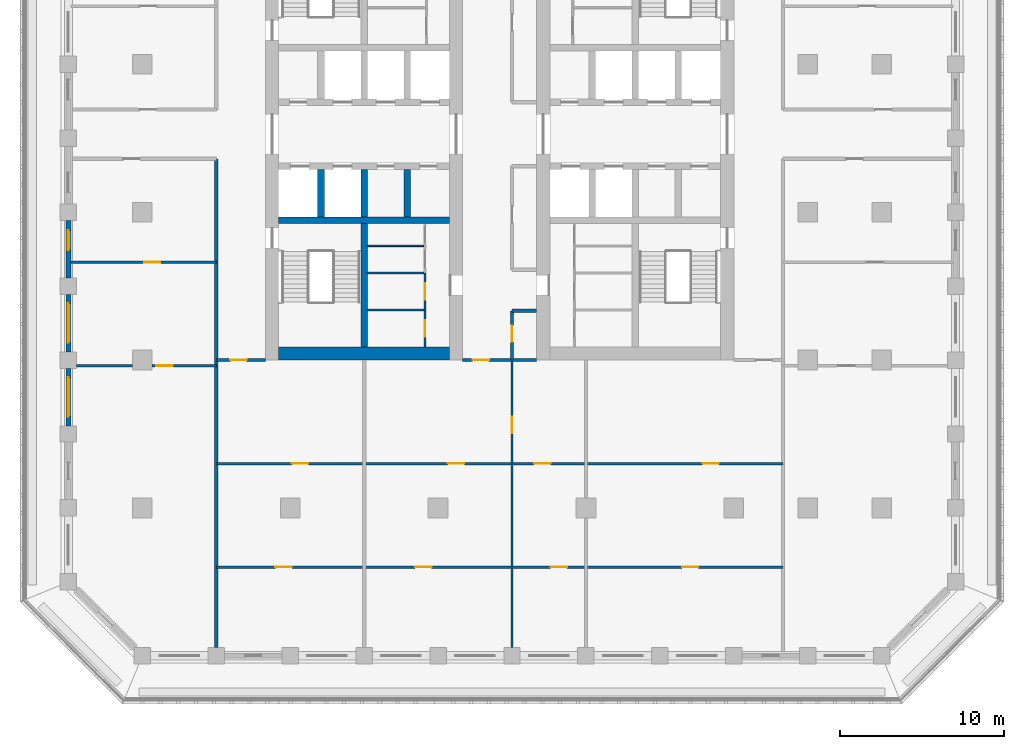
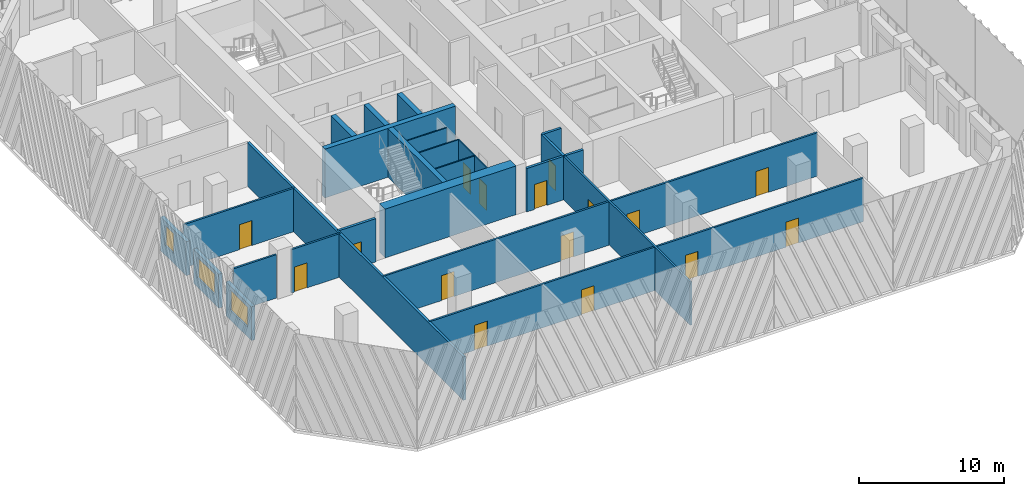
# One storey, part 3 of 17: 25 walls, 16 doors, 3 windows, 19 openings.
"""IFC4 building model written with IfcOpenShell, lengths in metres."""

from ifc_helpers import new_model, si_unit, direction, frame, frame_2d, origin, place, context, subcontext, project, spatial, rectangle, extrude, material, layer, layer_set, type_object, element, fill, save


model = new_model("IFC4")

# Units and contexts
model_context = context("Model", 3, precision=1e-05, world=origin(), true_north=direction((0.0, 1.0)))
body_context = subcontext(model_context, "Body", "Model", "MODEL_VIEW")
ifc_project = project(units=[si_unit("LENGTHUNIT", "METRE"), si_unit("AREAUNIT", "SQUARE_METRE"), si_unit("VOLUMEUNIT", "CUBIC_METRE"), si_unit("PLANEANGLEUNIT", "RADIAN"), si_unit("MASSUNIT", "GRAM", prefix="KILO")], contexts=[model_context])

# Site, building, storey
site_placement = place(None, origin())
site = spatial("IfcSite", under=ifc_project, at=site_placement, CompositionType="ELEMENT")
building_placement = place(site_placement, origin())
building = spatial("IfcBuilding", under=site, at=building_placement, Name="Corbel Stack Research Tower", CompositionType="ELEMENT")
storey_placement = place(building_placement, frame((0.0, 0.0, 207.89990234375)))
storey = spatial("IfcBuildingStorey", under=building, at=storey_placement, Name="L47", CompositionType="ELEMENT", Elevation=207.89990234375)

# Walls
ifc_material_1 = material(Name="Concrete C60/75", Category="concrete")
ifc_layer_1 = layer(ifc_material_1, 0.39990234375)
ifc_layer_set_1 = layer_set([ifc_layer_1], Name="Concrete C60/75")
wall_type_1 = type_object("IfcWallType", Name="CW-400-60", PredefinedType="SHEAR", material=ifc_layer_set_1)
wall_1_placement = place(storey_placement, frame((-9.699951171875, -0.5, 0.0), z_axis=(0.0, 0.0, 1.0), x_axis=(1.0, 0.0, 0.0)))
element("IfcWall", 1, at=wall_1_placement, inside=storey, type_object=wall_type_1, Name="West core wall, south row back L47", PredefinedType="SHEAR", context=body_context, shape_type="SweptSolid", body=[
    extrude(rectangle(XDim=10.39990234375, YDim=0.39990234375, at=frame_2d((5.199951171875, 0.0))), origin(), (0.0, 0.0, 1.0), 4.10009765625),
])
for number, where, z_axis, x_axis, name in (
    (2, (-7.125, -0.300048828125, 0.0), (0.0, 0.0, 1.0), (0.0, 1.0, 0.0), "West core wall, south shaft 1 L47"),
    (3, (-4.5, -0.300048828125, 0.0), (0.0, 0.0, 1.0), (0.0, 1.0, 0.0), "West core wall, south shaft 2 L47"),
    (4, (-1.875, -0.300048828125, 0.0), (0.0, 0.0, 1.0), (0.0, 1.0, 0.0), "West core wall, south shaft 3 L47"),
):
    element("IfcWall", number, at=place(storey_placement, frame(where, z_axis=z_axis, x_axis=x_axis)), inside=storey, type_object=wall_type_1, Name=name, PredefinedType="SHEAR", context=body_context, shape_type="SweptSolid", body=[
        extrude(rectangle(XDim=2.900146484375, YDim=0.39990234375, at=frame_2d((1.4501953125, 0.0))), origin(), (0.0, 0.0, 1.0), 4.10009765625),
    ])
wall_2_placement = place(storey_placement, frame((-4.5, -8.199951171875, 0.0), z_axis=(0.0, 0.0, 1.0), x_axis=(0.0, 1.0, 0.0)))
element("IfcWall", 5, at=wall_2_placement, inside=storey, type_object=wall_type_1, Name="West core wall, south stair and WC L47", PredefinedType="SHEAR", context=body_context, shape_type="SweptSolid", body=[
    extrude(rectangle(XDim=7.5, YDim=0.39990234375, at=frame_2d((3.75, 0.0))), origin(), (0.0, 0.0, 1.0), 4.10009765625),
])
ifc_material_2 = material(Name="Concrete C60/75", Category="concrete")
ifc_layer_2 = layer(ifc_material_2, 0.800048828125)
ifc_layer_set_2 = layer_set([ifc_layer_2], Name="Concrete C60/75")
wall_type_2 = type_object("IfcWallType", Name="CW-800-60", PredefinedType="SHEAR", material=ifc_layer_set_2)
wall_3_placement = place(storey_placement, frame((-9.699951171875, -8.60009765625, 0.0), z_axis=(0.0, 0.0, 1.0), x_axis=(1.0, 0.0, 0.0)))
element("IfcWall", 6, at=wall_3_placement, inside=storey, type_object=wall_type_2, Name="West core wall, south end L47", PredefinedType="SHEAR", context=body_context, shape_type="SweptSolid", body=[
    extrude(rectangle(XDim=10.39990234375, YDim=0.800048828125, at=frame_2d((5.199951171875, 0.0))), origin(), (0.0, 0.0, 1.0), 4.10009765625),
])

# Wall, opening, door
ifc_material_3 = material(Name="Gypsum board")
ifc_layer_3 = layer(ifc_material_3, 0.10009765625)
ifc_layer_set_3 = layer_set([ifc_layer_3], Name="Gypsum board")
wall_type_3 = type_object("IfcWallType", Name="Core partition 100", PredefinedType="PARTITIONING", material=ifc_layer_set_3)
wall_4_placement = place(storey_placement, frame((-0.800048828125, -8.199951171875, 0.0), z_axis=(0.0, 0.0, 1.0), x_axis=(0.0, 1.0, 0.0)))
wall_4 = element("IfcWall", 7, at=wall_4_placement, inside=storey, type_object=wall_type_3, Name="Core partition W", PredefinedType="PARTITIONING", context=body_context, shape_type="SweptSolid", body=[
    extrude(rectangle(XDim=2.25, YDim=0.10009765625, at=frame_2d((1.125, 0.0))), origin(), (0.0, 0.0, 1.0), 3.650146484375),
])
opening_1_placement = place(wall_4_placement, frame((0.625, 0.0, 0.0)))
opening_1 = element("IfcOpeningElement", 8, at=opening_1_placement, cuts=wall_4, Name="Opening CR-W42-W2-1000", PredefinedType="OPENING", context=body_context, shape_type="SweptSolid", body=[
    extrude(rectangle(XDim=1.0, YDim=2.10009765625, at=frame_2d((0.5, 1.050048828125))), frame((0.0, 0.06005859375, 0.0), z_axis=(0.0, -1.0, 0.0), x_axis=(1.0, 0.0, 0.0)), (0.0, 0.0, 1.0), 0.1201171875),
])
ifc_material_4 = material(Name="Painted timber door", Category="wood")
door_type_1 = type_object("IfcDoorType", Name="WC door 1000 x 2100 right hand", OperationType="SINGLE_SWING_RIGHT", PredefinedType="DOOR", material=ifc_material_4)
door_1_placement = place(opening_1_placement, origin())
door_1 = element("IfcDoor", 9, at=door_1_placement, inside=storey, type_object=door_type_1, Name="Men's WC door W core", OperationType="SINGLE_SWING_RIGHT", OverallHeight=2.10009765625, OverallWidth=1.0, PredefinedType="DOOR", context=body_context, shape_type="SweptSolid", body=[
    extrude(rectangle(XDim=1.0, YDim=2.10009765625, at=frame_2d((0.5, 1.050048828125))), frame((0.0, 0.02490234375, 0.0), z_axis=(0.0, -1.0, 0.0), x_axis=(1.0, 0.0, 0.0)), (0.0, 0.0, 1.0), 0.050048828125),
])
fill(opening_1, door_1)

wall_5_placement = place(storey_placement, frame((-0.800048828125, -5.949951171875, 0.0), z_axis=(0.0, 0.0, 1.0), x_axis=(0.0, 1.0, 0.0)))
wall_5 = element("IfcWall", 10, at=wall_5_placement, inside=storey, type_object=wall_type_3, Name="Core partition W", PredefinedType="PARTITIONING", context=body_context, shape_type="SweptSolid", body=[
    extrude(rectangle(XDim=2.25, YDim=0.10009765625, at=frame_2d((1.125, 0.0))), origin(), (0.0, 0.0, 1.0), 3.650146484375),
])
opening_2_placement = place(wall_5_placement, frame((0.625, 0.0, 0.0)))
opening_2 = element("IfcOpeningElement", 11, at=opening_2_placement, cuts=wall_5, Name="Opening CR-W42-W3-1000", PredefinedType="OPENING", context=body_context, shape_type="SweptSolid", body=[
    extrude(rectangle(XDim=1.0, YDim=2.10009765625, at=frame_2d((0.5, 1.050048828125))), frame((0.0, 0.06005859375, 0.0), z_axis=(0.0, -1.0, 0.0), x_axis=(1.0, 0.0, 0.0)), (0.0, 0.0, 1.0), 0.1201171875),
])
ifc_material_5 = material(Name="Painted timber door", Category="wood")
door_type_2 = type_object("IfcDoorType", Name="WC door 1000 x 2100 left hand", OperationType="SINGLE_SWING_LEFT", PredefinedType="DOOR", material=ifc_material_5)
door_2_placement = place(opening_2_placement, origin())
door_2 = element("IfcDoor", 12, at=door_2_placement, inside=storey, type_object=door_type_2, Name="Women's WC door W core", OperationType="SINGLE_SWING_LEFT", OverallHeight=2.10009765625, OverallWidth=1.0, PredefinedType="DOOR", context=body_context, shape_type="SweptSolid", body=[
    extrude(rectangle(XDim=1.0, YDim=2.10009765625, at=frame_2d((0.5, 1.050048828125))), frame((0.0, 0.02490234375, 0.0), z_axis=(0.0, -1.0, 0.0), x_axis=(1.0, 0.0, 0.0)), (0.0, 0.0, 1.0), 0.050048828125),
])
fill(opening_2, door_2)

# Walls
for number, where, z_axis, x_axis, name in (
    (13, (-4.300048828125, -5.949951171875, 0.0), (0.0, 0.0, 1.0), (1.0, 0.0, 0.0), "Core partition W"),
    (14, (-4.300048828125, -3.699951171875, 0.0), (0.0, 0.0, 1.0), (1.0, 0.0, 0.0), "Core partition W"),
    (15, (-4.300048828125, -2.050048828125, 0.0), (0.0, 0.0, 1.0), (1.0, 0.0, 0.0), "Core partition W"),
):
    element("IfcWall", number, at=place(storey_placement, frame(where, z_axis=z_axis, x_axis=x_axis)), inside=storey, type_object=wall_type_3, Name=name, PredefinedType="PARTITIONING", context=body_context, shape_type="SweptSolid", body=[
        extrude(rectangle(XDim=3.5, YDim=0.10009765625, at=frame_2d((1.75, 0.0))), origin(), (0.0, 0.0, 1.0), 3.650146484375),
    ])

# Wall, opening, door
ifc_material_6 = material(Name="Fire-rated gypsum board partition on steel studs", Category="steel")
ifc_layer_4 = layer(ifc_material_6, 0.14990234375)
ifc_layer_set_4 = layer_set([ifc_layer_4], Name="Fire-rated gypsum board partition on steel studs")
wall_type_4 = type_object("IfcWallType", Name="Fire-rated partition 150 EI 60", PredefinedType="PARTITIONING", material=ifc_layer_set_4)
wall_6_placement = place(storey_placement, frame((4.5, -9.0, 0.0), z_axis=(0.0, 0.0, 1.0), x_axis=(0.0, -1.0, 0.0)))
wall_6 = element("IfcWall", 16, at=wall_6_placement, inside=storey, type_object=wall_type_4, Name="Partition L47-005", PredefinedType="PARTITIONING", context=body_context, shape_type="SweptSolid", body=[
    extrude(rectangle(XDim=17.5, YDim=0.14990234375, at=frame_2d((8.75, 0.0))), origin(), (0.0, 0.0, 1.0), 3.650146484375),
])
opening_3_placement = place(wall_6_placement, frame((3.449951171875, 0.0, 0.0)))
opening_3 = element("IfcOpeningElement", 17, at=opening_3_placement, cuts=wall_6, Name="Opening B6V1-018", PredefinedType="OPENING", context=body_context, shape_type="SweptSolid", body=[
    extrude(rectangle(XDim=1.0, YDim=2.10009765625, at=frame_2d((0.5, 1.050048828125))), frame((0.0, 0.0849609375, 0.0), z_axis=(0.0, -1.0, 0.0), x_axis=(1.0, 0.0, 0.0)), (0.0, 0.0, 1.0), 0.169921875),
])
ifc_material_7 = material(Name="Painted steel fire door", Category="steel")
door_type_3 = type_object("IfcDoorType", Name="Fire door FD30S 1000 x 2100", OperationType="NOTDEFINED", PredefinedType="DOOR", material=ifc_material_7)
door_3_placement = place(opening_3_placement, origin())
door_3 = element("IfcDoor", 18, at=door_3_placement, inside=storey, type_object=door_type_3, Name="Door B6V1-018", OperationType="SINGLE_SWING_LEFT", OverallHeight=2.10009765625, OverallWidth=1.0, PredefinedType="DOOR", context=body_context, shape_type="SweptSolid", body=[
    extrude(rectangle(XDim=1.0, YDim=2.10009765625, at=frame_2d((0.5, 1.050048828125))), frame((0.0, 0.02490234375, 0.0), z_axis=(0.0, -1.0, 0.0), x_axis=(1.0, 0.0, 0.0)), (0.0, 0.0, 1.0), 0.050048828125),
])
fill(opening_3, door_3)

# Wall
ifc_material_8 = material(Name="Fire-rated gypsum board partition on steel studs", Category="steel")
ifc_layer_5 = layer(ifc_material_8, 0.199951171875)
ifc_layer_set_5 = layer_set([ifc_layer_5], Name="Fire-rated gypsum board partition on steel studs")
wall_type_5 = type_object("IfcWallType", Name="Fire-rated partition 200 EI 60", PredefinedType="PARTITIONING", material=ifc_layer_set_5)
wall_7_placement = place(storey_placement, frame((-13.5, -26.5, 0.0), z_axis=(0.0, 0.0, 1.0), x_axis=(0.0, 1.0, 0.0)))
element("IfcWall", 19, at=wall_7_placement, inside=storey, type_object=wall_type_5, Name="Partition L47-001", PredefinedType="PARTITIONING", context=body_context, shape_type="SweptSolid", body=[
    extrude(rectangle(XDim=29.75, YDim=0.199951171875, at=frame_2d((14.875, 0.0))), origin(), (0.0, 0.0, 1.0), 3.650146484375),
])

# Wall, opening, door
wall_8_placement = place(storey_placement, frame((4.5, -6.0, 0.0), z_axis=(0.0, 0.0, 1.0), x_axis=(0.0, -1.0, 0.0)))
wall_8 = element("IfcWall", 20, at=wall_8_placement, inside=storey, type_object=wall_type_5, Name="Partition L47-007", PredefinedType="PARTITIONING", context=body_context, shape_type="SweptSolid", body=[
    extrude(rectangle(XDim=3.0, YDim=0.199951171875, at=frame_2d((1.5, 0.0))), origin(), (0.0, 0.0, 1.0), 3.650146484375),
])
opening_4_placement = place(wall_8_placement, frame((0.89990234375, 0.0, 0.0)))
opening_4 = element("IfcOpeningElement", 21, at=opening_4_placement, cuts=wall_8, Name="Opening B6V1-019", PredefinedType="OPENING", context=body_context, shape_type="SweptSolid", body=[
    extrude(rectangle(XDim=1.0, YDim=2.10009765625, at=frame_2d((0.5, 1.050048828125))), frame((0.0, 0.10986328125, 0.0), z_axis=(0.0, -1.0, 0.0), x_axis=(1.0, 0.0, 0.0)), (0.0, 0.0, 1.0), 0.219970703125),
])
door_4_placement = place(opening_4_placement, origin())
door_4 = element("IfcDoor", 22, at=door_4_placement, inside=storey, type_object=door_type_3, Name="Door B6V1-019", OperationType="SINGLE_SWING_LEFT", OverallHeight=2.10009765625, OverallWidth=1.0, PredefinedType="DOOR", context=body_context, shape_type="SweptSolid", body=[
    extrude(rectangle(XDim=1.0, YDim=2.10009765625, at=frame_2d((0.5, 1.050048828125))), frame((0.0, 0.02490234375, 0.0), z_axis=(0.0, -1.0, 0.0), x_axis=(1.0, 0.0, 0.0)), (0.0, 0.0, 1.0), 0.050048828125),
])
fill(opening_4, door_4)

wall_9_placement = place(storey_placement, frame((-10.5, -9.0, 0.0), z_axis=(0.0, 0.0, 1.0), x_axis=(-1.0, 0.0, 0.0)))
wall_9 = element("IfcWall", 23, at=wall_9_placement, inside=storey, type_object=wall_type_5, Name="Partition L47-023", PredefinedType="PARTITIONING", context=body_context, shape_type="SweptSolid", body=[
    extrude(rectangle(XDim=3.0, YDim=0.199951171875, at=frame_2d((1.5, 0.0))), origin(), (0.0, 0.0, 1.0), 3.650146484375),
])
opening_5_placement = place(wall_9_placement, frame((1.14990234375, 0.0, 0.0)))
opening_5 = element("IfcOpeningElement", 24, at=opening_5_placement, cuts=wall_9, Name="Opening B6V1-011", PredefinedType="OPENING", context=body_context, shape_type="SweptSolid", body=[
    extrude(rectangle(XDim=1.0, YDim=2.10009765625, at=frame_2d((0.5, 1.050048828125))), frame((0.0, 0.10986328125, 0.0), z_axis=(0.0, -1.0, 0.0), x_axis=(1.0, 0.0, 0.0)), (0.0, 0.0, 1.0), 0.219970703125),
])
door_5_placement = place(opening_5_placement, origin())
door_5 = element("IfcDoor", 25, at=door_5_placement, inside=storey, type_object=door_type_3, Name="Door B6V1-011", OperationType="SINGLE_SWING_RIGHT", OverallHeight=2.10009765625, OverallWidth=1.0, PredefinedType="DOOR", context=body_context, shape_type="SweptSolid", body=[
    extrude(rectangle(XDim=1.0, YDim=2.10009765625, at=frame_2d((0.5, 1.050048828125))), frame((0.0, 0.02490234375, 0.0), z_axis=(0.0, -1.0, 0.0), x_axis=(1.0, 0.0, 0.0)), (0.0, 0.0, 1.0), 0.050048828125),
])
fill(opening_5, door_5)

wall_10_placement = place(storey_placement, frame((6.0, -9.0, 0.0), z_axis=(0.0, 0.0, 1.0), x_axis=(-1.0, 0.0, 0.0)))
wall_10 = element("IfcWall", 26, at=wall_10_placement, inside=storey, type_object=wall_type_5, Name="Partition L47-024", PredefinedType="PARTITIONING", context=body_context, shape_type="SweptSolid", body=[
    extrude(rectangle(XDim=4.5, YDim=0.199951171875, at=frame_2d((2.25, 0.0))), origin(), (0.0, 0.0, 1.0), 3.650146484375),
])
opening_6_placement = place(wall_10_placement, frame((2.89990234375, 0.0, 0.0)))
opening_6 = element("IfcOpeningElement", 27, at=opening_6_placement, cuts=wall_10, Name="Opening B6V1-012", PredefinedType="OPENING", context=body_context, shape_type="SweptSolid", body=[
    extrude(rectangle(XDim=1.0, YDim=2.10009765625, at=frame_2d((0.5, 1.050048828125))), frame((0.0, 0.10986328125, 0.0), z_axis=(0.0, -1.0, 0.0), x_axis=(1.0, 0.0, 0.0)), (0.0, 0.0, 1.0), 0.219970703125),
])
door_6_placement = place(opening_6_placement, origin())
door_6 = element("IfcDoor", 28, at=door_6_placement, inside=storey, type_object=door_type_3, Name="Door B6V1-012", OperationType="SINGLE_SWING_RIGHT", OverallHeight=2.10009765625, OverallWidth=1.0, PredefinedType="DOOR", context=body_context, shape_type="SweptSolid", body=[
    extrude(rectangle(XDim=1.0, YDim=2.10009765625, at=frame_2d((0.5, 1.050048828125))), frame((0.0, 0.02490234375, 0.0), z_axis=(0.0, -1.0, 0.0), x_axis=(1.0, 0.0, 0.0)), (0.0, 0.0, 1.0), 0.050048828125),
])
fill(opening_6, door_6)

# Wall
wall_11_placement = place(storey_placement, frame((4.5, -6.0, 0.0), z_axis=(0.0, 0.0, 1.0), x_axis=(1.0, 0.0, 0.0)))
element("IfcWall", 29, at=wall_11_placement, inside=storey, type_object=wall_type_5, Name="Partition L47-026", PredefinedType="PARTITIONING", context=body_context, shape_type="SweptSolid", body=[
    extrude(rectangle(XDim=1.5, YDim=0.199951171875, at=frame_2d((0.75, 0.0))), origin(), (0.0, 0.0, 1.0), 3.650146484375),
])

# Wall, openings, doors
ifc_material_9 = material(Name="Gypsum board partition on steel studs", Category="steel")
ifc_layer_6 = layer(ifc_material_9, 0.14990234375)
ifc_layer_set_6 = layer_set([ifc_layer_6], Name="Gypsum board partition on steel studs")
wall_type_6 = type_object("IfcWallType", Name="Partition 150", PredefinedType="PARTITIONING", material=ifc_layer_set_6)
wall_12_placement = place(storey_placement, frame((21.0, -21.60009765625, 0.0), z_axis=(0.0, 0.0, 1.0), x_axis=(-1.0, 0.0, 0.0)))
wall_12 = element("IfcWall", 30, at=wall_12_placement, inside=storey, type_object=wall_type_6, Name="Partition L47-016", PredefinedType="PARTITIONING", context=body_context, shape_type="SweptSolid", body=[
    extrude(rectangle(XDim=34.5, YDim=0.14990234375, at=frame_2d((17.25, 0.0))), origin(), (0.0, 0.0, 1.0), 3.650146484375),
])
opening_7_placement = place(wall_12_placement, frame((29.89990234375, 0.0, 0.0)))
opening_7 = element("IfcOpeningElement", 31, at=opening_7_placement, cuts=wall_12, Name="Opening B6V1-001", PredefinedType="OPENING", context=body_context, shape_type="SweptSolid", body=[
    extrude(rectangle(XDim=1.0, YDim=2.10009765625, at=frame_2d((0.5, 1.050048828125))), frame((0.0, 0.0849609375, 0.0), z_axis=(0.0, -1.0, 0.0), x_axis=(1.0, 0.0, 0.0)), (0.0, 0.0, 1.0), 0.169921875),
])
opening_8_placement = place(wall_12_placement, frame((21.39990234375, 0.0, 0.0)))
opening_8 = element("IfcOpeningElement", 32, at=opening_8_placement, cuts=wall_12, Name="Opening B6V1-002", PredefinedType="OPENING", context=body_context, shape_type="SweptSolid", body=[
    extrude(rectangle(XDim=1.0, YDim=2.10009765625, at=frame_2d((0.5, 1.050048828125))), frame((0.0, 0.0849609375, 0.0), z_axis=(0.0, -1.0, 0.0), x_axis=(1.0, 0.0, 0.0)), (0.0, 0.0, 1.0), 0.169921875),
])
opening_9_placement = place(wall_12_placement, frame((13.14990234375, 0.0, 0.0)))
opening_9 = element("IfcOpeningElement", 33, at=opening_9_placement, cuts=wall_12, Name="Opening B6V1-003", PredefinedType="OPENING", context=body_context, shape_type="SweptSolid", body=[
    extrude(rectangle(XDim=1.0, YDim=2.10009765625, at=frame_2d((0.5, 1.050048828125))), frame((0.0, 0.0849609375, 0.0), z_axis=(0.0, -1.0, 0.0), x_axis=(1.0, 0.0, 0.0)), (0.0, 0.0, 1.0), 0.169921875),
])
opening_10_placement = place(wall_12_placement, frame((5.14990234375, 0.0, 0.0)))
opening_10 = element("IfcOpeningElement", 34, at=opening_10_placement, cuts=wall_12, Name="Opening B6V1-004", PredefinedType="OPENING", context=body_context, shape_type="SweptSolid", body=[
    extrude(rectangle(XDim=1.0, YDim=2.10009765625, at=frame_2d((0.5, 1.050048828125))), frame((0.0, 0.0849609375, 0.0), z_axis=(0.0, -1.0, 0.0), x_axis=(1.0, 0.0, 0.0)), (0.0, 0.0, 1.0), 0.169921875),
])
ifc_material_10 = material(Name="Painted timber door", Category="wood")
door_type_4 = type_object("IfcDoorType", Name="Single door 1000 x 2100", OperationType="NOTDEFINED", PredefinedType="DOOR", material=ifc_material_10)
door_7_placement = place(opening_7_placement, origin())
door_7 = element("IfcDoor", 35, at=door_7_placement, inside=storey, type_object=door_type_4, Name="Door B6V1-001", OperationType="SINGLE_SWING_RIGHT", OverallHeight=2.10009765625, OverallWidth=1.0, PredefinedType="DOOR", context=body_context, shape_type="SweptSolid", body=[
    extrude(rectangle(XDim=1.0, YDim=2.10009765625, at=frame_2d((0.5, 1.050048828125))), frame((0.0, 0.02490234375, 0.0), z_axis=(0.0, -1.0, 0.0), x_axis=(1.0, 0.0, 0.0)), (0.0, 0.0, 1.0), 0.050048828125),
])
fill(opening_7, door_7)
door_8_placement = place(opening_8_placement, origin())
door_8 = element("IfcDoor", 36, at=door_8_placement, inside=storey, type_object=door_type_4, Name="Door B6V1-002", OperationType="SINGLE_SWING_RIGHT", OverallHeight=2.10009765625, OverallWidth=1.0, PredefinedType="DOOR", context=body_context, shape_type="SweptSolid", body=[
    extrude(rectangle(XDim=1.0, YDim=2.10009765625, at=frame_2d((0.5, 1.050048828125))), frame((0.0, 0.02490234375, 0.0), z_axis=(0.0, -1.0, 0.0), x_axis=(1.0, 0.0, 0.0)), (0.0, 0.0, 1.0), 0.050048828125),
])
fill(opening_8, door_8)
door_9_placement = place(opening_9_placement, origin())
door_9 = element("IfcDoor", 37, at=door_9_placement, inside=storey, type_object=door_type_4, Name="Door B6V1-003", OperationType="SINGLE_SWING_LEFT", OverallHeight=2.10009765625, OverallWidth=1.0, PredefinedType="DOOR", context=body_context, shape_type="SweptSolid", body=[
    extrude(rectangle(XDim=1.0, YDim=2.10009765625, at=frame_2d((0.5, 1.050048828125))), frame((0.0, 0.02490234375, 0.0), z_axis=(0.0, -1.0, 0.0), x_axis=(1.0, 0.0, 0.0)), (0.0, 0.0, 1.0), 0.050048828125),
])
fill(opening_9, door_9)
door_10_placement = place(opening_10_placement, origin())
door_10 = element("IfcDoor", 38, at=door_10_placement, inside=storey, type_object=door_type_4, Name="Door B6V1-004", OperationType="SINGLE_SWING_LEFT", OverallHeight=2.10009765625, OverallWidth=1.0, PredefinedType="DOOR", context=body_context, shape_type="SweptSolid", body=[
    extrude(rectangle(XDim=1.0, YDim=2.10009765625, at=frame_2d((0.5, 1.050048828125))), frame((0.0, 0.02490234375, 0.0), z_axis=(0.0, -1.0, 0.0), x_axis=(1.0, 0.0, 0.0)), (0.0, 0.0, 1.0), 0.050048828125),
])
fill(opening_10, door_10)

wall_13_placement = place(storey_placement, frame((21.0, -15.300048828125, 0.0), z_axis=(0.0, 0.0, 1.0), x_axis=(-1.0, 0.0, 0.0)))
wall_13 = element("IfcWall", 39, at=wall_13_placement, inside=storey, type_object=wall_type_6, Name="Partition L47-017", PredefinedType="PARTITIONING", context=body_context, shape_type="SweptSolid", body=[
    extrude(rectangle(XDim=34.5, YDim=0.14990234375, at=frame_2d((17.25, 0.0))), origin(), (0.0, 0.0, 1.0), 3.650146484375),
])
opening_11_placement = place(wall_13_placement, frame((28.89990234375, 0.0, 0.0)))
opening_11 = element("IfcOpeningElement", 40, at=opening_11_placement, cuts=wall_13, Name="Opening B6V1-005", PredefinedType="OPENING", context=body_context, shape_type="SweptSolid", body=[
    extrude(rectangle(XDim=1.0, YDim=2.10009765625, at=frame_2d((0.5, 1.050048828125))), frame((0.0, 0.0849609375, 0.0), z_axis=(0.0, -1.0, 0.0), x_axis=(1.0, 0.0, 0.0)), (0.0, 0.0, 1.0), 0.169921875),
])
opening_12_placement = place(wall_13_placement, frame((19.39990234375, 0.0, 0.0)))
opening_12 = element("IfcOpeningElement", 41, at=opening_12_placement, cuts=wall_13, Name="Opening B6V1-006", PredefinedType="OPENING", context=body_context, shape_type="SweptSolid", body=[
    extrude(rectangle(XDim=1.0, YDim=2.10009765625, at=frame_2d((0.5, 1.050048828125))), frame((0.0, 0.0849609375, 0.0), z_axis=(0.0, -1.0, 0.0), x_axis=(1.0, 0.0, 0.0)), (0.0, 0.0, 1.0), 0.169921875),
])
opening_13_placement = place(wall_13_placement, frame((14.14990234375, 0.0, 0.0)))
opening_13 = element("IfcOpeningElement", 42, at=opening_13_placement, cuts=wall_13, Name="Opening B6V1-007", PredefinedType="OPENING", context=body_context, shape_type="SweptSolid", body=[
    extrude(rectangle(XDim=1.0, YDim=2.10009765625, at=frame_2d((0.5, 1.050048828125))), frame((0.0, 0.0849609375, 0.0), z_axis=(0.0, -1.0, 0.0), x_axis=(1.0, 0.0, 0.0)), (0.0, 0.0, 1.0), 0.169921875),
])
opening_14_placement = place(wall_13_placement, frame((3.89990234375, 0.0, 0.0)))
opening_14 = element("IfcOpeningElement", 43, at=opening_14_placement, cuts=wall_13, Name="Opening B6V1-008", PredefinedType="OPENING", context=body_context, shape_type="SweptSolid", body=[
    extrude(rectangle(XDim=1.0, YDim=2.10009765625, at=frame_2d((0.5, 1.050048828125))), frame((0.0, 0.0849609375, 0.0), z_axis=(0.0, -1.0, 0.0), x_axis=(1.0, 0.0, 0.0)), (0.0, 0.0, 1.0), 0.169921875),
])
door_11_placement = place(opening_11_placement, origin())
door_11 = element("IfcDoor", 44, at=door_11_placement, inside=storey, type_object=door_type_4, Name="Door B6V1-005", OperationType="SINGLE_SWING_RIGHT", OverallHeight=2.10009765625, OverallWidth=1.0, PredefinedType="DOOR", context=body_context, shape_type="SweptSolid", body=[
    extrude(rectangle(XDim=1.0, YDim=2.10009765625, at=frame_2d((0.5, 1.050048828125))), frame((0.0, 0.02490234375, 0.0), z_axis=(0.0, -1.0, 0.0), x_axis=(1.0, 0.0, 0.0)), (0.0, 0.0, 1.0), 0.050048828125),
])
fill(opening_11, door_11)
door_12_placement = place(opening_12_placement, origin())
door_12 = element("IfcDoor", 45, at=door_12_placement, inside=storey, type_object=door_type_4, Name="Door B6V1-006", OperationType="SINGLE_SWING_RIGHT", OverallHeight=2.10009765625, OverallWidth=1.0, PredefinedType="DOOR", context=body_context, shape_type="SweptSolid", body=[
    extrude(rectangle(XDim=1.0, YDim=2.10009765625, at=frame_2d((0.5, 1.050048828125))), frame((0.0, 0.02490234375, 0.0), z_axis=(0.0, -1.0, 0.0), x_axis=(1.0, 0.0, 0.0)), (0.0, 0.0, 1.0), 0.050048828125),
])
fill(opening_12, door_12)
door_13_placement = place(opening_13_placement, origin())
door_13 = element("IfcDoor", 46, at=door_13_placement, inside=storey, type_object=door_type_4, Name="Door B6V1-007", OperationType="SINGLE_SWING_LEFT", OverallHeight=2.10009765625, OverallWidth=1.0, PredefinedType="DOOR", context=body_context, shape_type="SweptSolid", body=[
    extrude(rectangle(XDim=1.0, YDim=2.10009765625, at=frame_2d((0.5, 1.050048828125))), frame((0.0, 0.02490234375, 0.0), z_axis=(0.0, -1.0, 0.0), x_axis=(1.0, 0.0, 0.0)), (0.0, 0.0, 1.0), 0.050048828125),
])
fill(opening_13, door_13)
door_14_placement = place(opening_14_placement, origin())
door_14 = element("IfcDoor", 47, at=door_14_placement, inside=storey, type_object=door_type_4, Name="Door B6V1-008", OperationType="SINGLE_SWING_LEFT", OverallHeight=2.10009765625, OverallWidth=1.0, PredefinedType="DOOR", context=body_context, shape_type="SweptSolid", body=[
    extrude(rectangle(XDim=1.0, YDim=2.10009765625, at=frame_2d((0.5, 1.050048828125))), frame((0.0, 0.02490234375, 0.0), z_axis=(0.0, -1.0, 0.0), x_axis=(1.0, 0.0, 0.0)), (0.0, 0.0, 1.0), 0.050048828125),
])
fill(opening_14, door_14)

# Wall
wall_14_placement = place(storey_placement, frame((-22.0, -9.35009765625, 0.0), z_axis=(0.0, 0.0, 1.0), x_axis=(1.0, 0.0, 0.0)))
element("IfcWall", 48, at=wall_14_placement, inside=storey, type_object=wall_type_6, Name="Partition L47-018", PredefinedType="PARTITIONING", context=body_context, shape_type="SweptSolid", body=[
    extrude(rectangle(XDim=3.39990234375, YDim=0.14990234375, at=frame_2d((1.699951171875, 0.0))), origin(), (0.0, 0.0, 1.0), 3.650146484375),
])

# Wall, opening, door
wall_15_placement = place(storey_placement, frame((-13.5, -9.35009765625, 0.0), z_axis=(0.0, 0.0, 1.0), x_axis=(-1.0, 0.0, 0.0)))
wall_15 = element("IfcWall", 49, at=wall_15_placement, inside=storey, type_object=wall_type_6, Name="Partition L47-019", PredefinedType="PARTITIONING", context=body_context, shape_type="SweptSolid", body=[
    extrude(rectangle(XDim=3.89990234375, YDim=0.14990234375, at=frame_2d((1.949951171875, 0.0))), origin(), (0.0, 0.0, 1.0), 3.650146484375),
])
opening_15_placement = place(wall_15_placement, frame((2.64990234375, 0.0, 0.0)))
opening_15 = element("IfcOpeningElement", 50, at=opening_15_placement, cuts=wall_15, Name="Opening B6V1-009", PredefinedType="OPENING", context=body_context, shape_type="SweptSolid", body=[
    extrude(rectangle(XDim=1.0, YDim=2.10009765625, at=frame_2d((0.5, 1.050048828125))), frame((0.0, 0.0849609375, 0.0), z_axis=(0.0, -1.0, 0.0), x_axis=(1.0, 0.0, 0.0)), (0.0, 0.0, 1.0), 0.169921875),
])
door_15_placement = place(opening_15_placement, origin())
door_15 = element("IfcDoor", 51, at=door_15_placement, inside=storey, type_object=door_type_4, Name="Door B6V1-009", OperationType="SINGLE_SWING_RIGHT", OverallHeight=2.10009765625, OverallWidth=1.0, PredefinedType="DOOR", context=body_context, shape_type="SweptSolid", body=[
    extrude(rectangle(XDim=1.0, YDim=2.10009765625, at=frame_2d((0.5, 1.050048828125))), frame((0.0, 0.02490234375, 0.0), z_axis=(0.0, -1.0, 0.0), x_axis=(1.0, 0.0, 0.0)), (0.0, 0.0, 1.0), 0.050048828125),
])
fill(opening_15, door_15)

wall_16_placement = place(storey_placement, frame((-13.5, -3.050048828125, 0.0), z_axis=(0.0, 0.0, 1.0), x_axis=(-1.0, 0.0, 0.0)))
wall_16 = element("IfcWall", 52, at=wall_16_placement, inside=storey, type_object=wall_type_6, Name="Partition L47-028", PredefinedType="PARTITIONING", context=body_context, shape_type="SweptSolid", body=[
    extrude(rectangle(XDim=8.85009765625, YDim=0.14990234375, at=frame_2d((4.425048828125, 0.0))), origin(), (0.0, 0.0, 1.0), 3.650146484375),
])
opening_16_placement = place(wall_16_placement, frame((3.39990234375, 0.0, 0.0)))
opening_16 = element("IfcOpeningElement", 53, at=opening_16_placement, cuts=wall_16, Name="Opening B6V1-014", PredefinedType="OPENING", context=body_context, shape_type="SweptSolid", body=[
    extrude(rectangle(XDim=1.0, YDim=2.10009765625, at=frame_2d((0.5, 1.050048828125))), frame((0.0, 0.0849609375, 0.0), z_axis=(0.0, -1.0, 0.0), x_axis=(1.0, 0.0, 0.0)), (0.0, 0.0, 1.0), 0.169921875),
])
door_16_placement = place(opening_16_placement, origin())
door_16 = element("IfcDoor", 54, at=door_16_placement, inside=storey, type_object=door_type_4, Name="Door B6V1-014", OperationType="SINGLE_SWING_LEFT", OverallHeight=2.10009765625, OverallWidth=1.0, PredefinedType="DOOR", context=body_context, shape_type="SweptSolid", body=[
    extrude(rectangle(XDim=1.0, YDim=2.10009765625, at=frame_2d((0.5, 1.050048828125))), frame((0.0, 0.02490234375, 0.0), z_axis=(0.0, -1.0, 0.0), x_axis=(1.0, 0.0, 0.0)), (0.0, 0.0, 1.0), 0.050048828125),
])
fill(opening_16, door_16)

# Wall, opening, window
ifc_material_11 = material(Name="Concrete C45/55", Category="concrete")
ifc_layer_7 = layer(ifc_material_11, 0.300048828125)
ifc_layer_set_7 = layer_set([ifc_layer_7], Name="Concrete C45/55")
wall_type_7 = type_object("IfcWallType", Name="Terracotta-faced concrete wall 300", PredefinedType="SOLIDWALL", material=ifc_layer_set_7)
wall_17_placement = place(storey_placement, frame((-22.5, -4.0, 0.0), z_axis=(0.0, 0.0, 1.0), x_axis=(0.0, 1.0, 0.0)))
wall_17 = element("IfcWall", 55, at=wall_17_placement, inside=storey, type_object=wall_type_7, Name="Facade wall L47 W06", PredefinedType="SOLIDWALL", context=body_context, shape_type="SweptSolid", body=[
    extrude(rectangle(XDim=3.5, YDim=0.300048828125, at=frame_2d((1.75, 0.0))), origin(), (0.0, 0.0, 1.0), 2.85009765625),
])
opening_17_placement = place(wall_17_placement, frame((1.6875, 0.0, 0.800048828125)))
opening_17 = element("IfcOpeningElement", 56, at=opening_17_placement, cuts=wall_17, Name="Opening W2", PredefinedType="OPENING", context=body_context, shape_type="SweptSolid", body=[
    extrude(rectangle(XDim=1.199951171875, YDim=1.699951171875, at=frame_2d((0.60009765625, 0.85009765625))), frame((0.0, 0.159912109375, 0.0), z_axis=(0.0, -1.0, 0.0), x_axis=(1.0, 0.0, 0.0)), (0.0, 0.0, 1.0), 0.320068359375),
])
ifc_material_12 = material(Name="Aluminium frame, clear double glazing", Category="aluminium")
window_type_1 = type_object("IfcWindowType", Name="Window W2 1200 x 1700", PartitioningType="SINGLE_PANEL", PredefinedType="WINDOW", material=ifc_material_12)
window_1_placement = place(opening_17_placement, origin())
window_1 = element("IfcWindow", 57, at=window_1_placement, inside=storey, type_object=window_type_1, Name="Window W2 L47 W06", OverallHeight=1.699951171875, OverallWidth=1.199951171875, PartitioningType="SINGLE_PANEL", PredefinedType="WINDOW", context=body_context, shape_type="SweptSolid", body=[
    extrude(rectangle(XDim=1.199951171875, YDim=1.699951171875, at=frame_2d((0.60009765625, 0.85009765625))), frame((0.0, 0.030029296875, 0.0), z_axis=(0.0, -1.0, 0.0), x_axis=(1.0, 0.0, 0.0)), (0.0, 0.0, 1.0), 0.06005859375),
])
fill(opening_17, window_1)

wall_18_placement = place(storey_placement, frame((-22.5, -8.5, 0.0), z_axis=(0.0, 0.0, 1.0), x_axis=(0.0, 1.0, 0.0)))
wall_18 = element("IfcWall", 58, at=wall_18_placement, inside=storey, type_object=wall_type_7, Name="Facade wall L47 W07", PredefinedType="SOLIDWALL", context=body_context, shape_type="SweptSolid", body=[
    extrude(rectangle(XDim=3.5, YDim=0.300048828125, at=frame_2d((1.75, 0.0))), origin(), (0.0, 0.0, 1.0), 2.85009765625),
])
opening_18_placement = place(wall_18_placement, frame((0.550048828125, 0.0, 0.800048828125)))
opening_18 = element("IfcOpeningElement", 59, at=opening_18_placement, cuts=wall_18, Name="Opening W1", PredefinedType="OPENING", context=body_context, shape_type="SweptSolid", body=[
    extrude(rectangle(XDim=2.39990234375, YDim=1.699951171875, at=frame_2d((1.199951171875, 0.85009765625))), frame((0.0, 0.159912109375, 0.0), z_axis=(0.0, -1.0, 0.0), x_axis=(1.0, 0.0, 0.0)), (0.0, 0.0, 1.0), 0.320068359375),
])
ifc_material_13 = material(Name="Aluminium frame, clear double glazing", Category="aluminium")
window_type_2 = type_object("IfcWindowType", Name="Window W1 2400 x 1700", PartitioningType="SINGLE_PANEL", PredefinedType="WINDOW", material=ifc_material_13)
window_2_placement = place(opening_18_placement, origin())
window_2 = element("IfcWindow", 60, at=window_2_placement, inside=storey, type_object=window_type_2, Name="Window W1 L47 W07", OverallHeight=1.699951171875, OverallWidth=2.39990234375, PartitioningType="SINGLE_PANEL", PredefinedType="WINDOW", context=body_context, shape_type="SweptSolid", body=[
    extrude(rectangle(XDim=2.39990234375, YDim=1.699951171875, at=frame_2d((1.199951171875, 0.85009765625))), frame((0.0, 0.030029296875, 0.0), z_axis=(0.0, -1.0, 0.0), x_axis=(1.0, 0.0, 0.0)), (0.0, 0.0, 1.0), 0.06005859375),
])
fill(opening_18, window_2)

wall_19_placement = place(storey_placement, frame((-22.5, -13.0, 0.0), z_axis=(0.0, 0.0, 1.0), x_axis=(0.0, 1.0, 0.0)))
wall_19 = element("IfcWall", 61, at=wall_19_placement, inside=storey, type_object=wall_type_7, Name="Facade wall L47 W08", PredefinedType="SOLIDWALL", context=body_context, shape_type="SweptSolid", body=[
    extrude(rectangle(XDim=3.5, YDim=0.300048828125, at=frame_2d((1.75, 0.0))), origin(), (0.0, 0.0, 1.0), 2.85009765625),
])
opening_19_placement = place(wall_19_placement, frame((0.550048828125, 0.0, 0.800048828125)))
opening_19 = element("IfcOpeningElement", 62, at=opening_19_placement, cuts=wall_19, Name="Opening W1", PredefinedType="OPENING", context=body_context, shape_type="SweptSolid", body=[
    extrude(rectangle(XDim=2.39990234375, YDim=1.699951171875, at=frame_2d((1.199951171875, 0.85009765625))), frame((0.0, 0.159912109375, 0.0), z_axis=(0.0, -1.0, 0.0), x_axis=(1.0, 0.0, 0.0)), (0.0, 0.0, 1.0), 0.320068359375),
])
window_3_placement = place(opening_19_placement, origin())
window_3 = element("IfcWindow", 63, at=window_3_placement, inside=storey, type_object=window_type_2, Name="Window W1 L47 W08", OverallHeight=1.699951171875, OverallWidth=2.39990234375, PartitioningType="SINGLE_PANEL", PredefinedType="WINDOW", context=body_context, shape_type="SweptSolid", body=[
    extrude(rectangle(XDim=2.39990234375, YDim=1.699951171875, at=frame_2d((1.199951171875, 0.85009765625))), frame((0.0, 0.030029296875, 0.0), z_axis=(0.0, -1.0, 0.0), x_axis=(1.0, 0.0, 0.0)), (0.0, 0.0, 1.0), 0.06005859375),
])
fill(opening_19, window_3)

save(model, "model.ifc")
